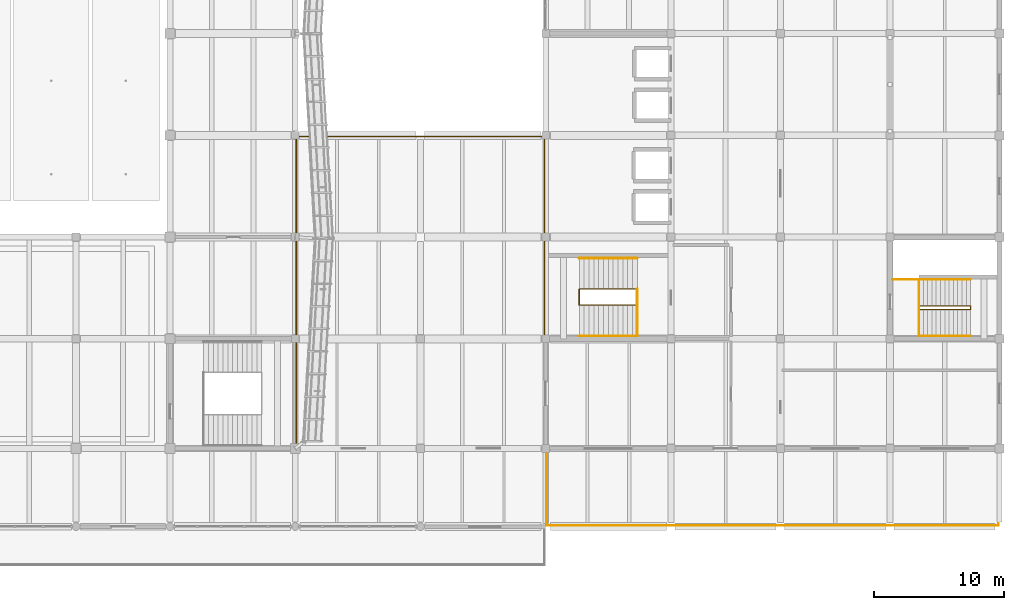
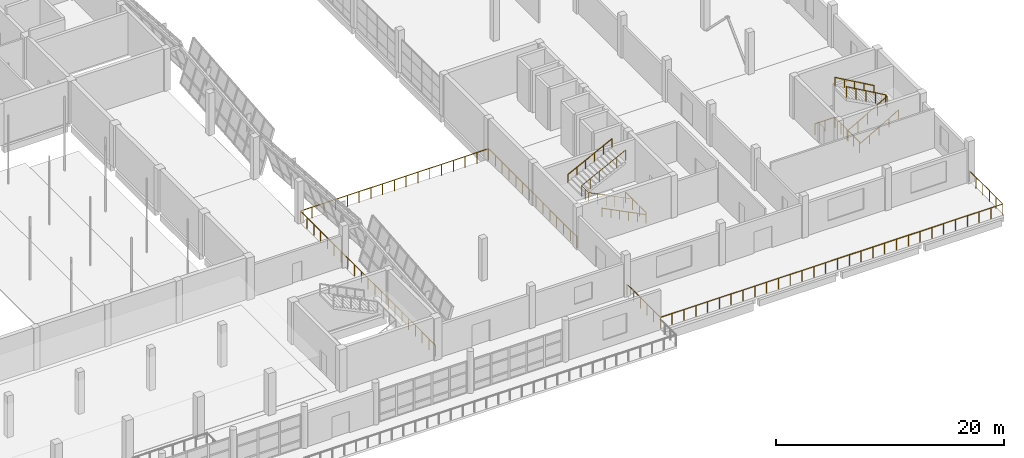
# One storey, part 67 of 71: 10 railings.
"""IFC4 building model written with IfcOpenShell, lengths in metres."""

from ifc_helpers import new_model, si_unit, direction, frame, origin, origin_2d, place, context, subcontext, project, spatial, circle, extrude, material, type_object, element, save


model = new_model("IFC4")

# Units and contexts
model_context = context("Model", 3, precision=1e-05, world=origin(), true_north=direction((0.0, 1.0)))
body_context = subcontext(model_context, "Body", "Model", "MODEL_VIEW")
ifc_project = project(units=[si_unit("LENGTHUNIT", "METRE"), si_unit("AREAUNIT", "SQUARE_METRE"), si_unit("VOLUMEUNIT", "CUBIC_METRE"), si_unit("PLANEANGLEUNIT", "RADIAN"), si_unit("MASSUNIT", "GRAM", prefix="KILO")], contexts=[model_context])

# Site, building, storey
site_placement = place(None, origin())
site = spatial("IfcSite", under=ifc_project, at=site_placement, CompositionType="ELEMENT")
building_placement = place(site_placement, origin())
building = spatial("IfcBuilding", under=site, at=building_placement, Name="Pellamere Symphony Hall", CompositionType="ELEMENT")
storey_placement = place(building_placement, frame((0.0, 0.0, 15.0)))
storey = spatial("IfcBuildingStorey", under=building, at=storey_placement, Name="L03", CompositionType="ELEMENT", Elevation=15.0)

# Railings
ifc_material_1 = material(Name="Painted Steel CSA G40.21 350W", Category="steel")
railing_type_1 = type_object("IfcRailingType", Name="Guardrail GR-02 H1150 Painted", PredefinedType="GUARDRAIL", material=ifc_material_1)
railing_1_placement = place(storey_placement, frame((145.02490234375, 40.989990234375, 0.0)))
element("IfcRailing", 1, at=railing_1_placement, inside=storey, type_object=railing_type_1, Name="Stair ST02-L03 Continuous Well Guardrail (L03)", PredefinedType="GUARDRAIL", context=body_context, shape_type="SweptSolid", body=[
    extrude(circle(Radius=0.02392578125, at=origin_2d()), frame((0.0, 0.0, 1.1259765625), z_axis=(-0.892410782461, 0.0, 0.451223886057), x_axis=(0.0, -1.0, 0.0)), (0.0, 0.0, 1.0), 4.986328125),
    extrude(circle(Radius=0.02392578125, at=origin_2d()), frame((-4.449951171875, 0.0, 3.3759765625), z_axis=(0.0, 1.0, 0.0), x_axis=(-1.0, 0.0, 0.0)), (0.0, 0.0, 1.0), 1.219970703125),
    extrude(circle(Radius=0.02392578125, at=origin_2d()), frame((-4.449951171875, 1.219970703125, 3.3759765625), z_axis=(0.892410782461, 0.0, 0.451223886057), x_axis=(0.0, 1.0, 0.0)), (0.0, 0.0, 1.0), 4.986328125),
    extrude(circle(Radius=0.02099609375, at=origin_2d()), origin(), (0.0, 0.0, 1.0), 1.101806640625),
    extrude(circle(Radius=0.02099609375, at=origin_2d()), frame((-0.889892578125, 0.0, 0.449951171875)), (0.0, 0.0, 1.0), 1.101806640625),
    extrude(circle(Radius=0.02099609375, at=origin_2d()), frame((-1.780029296875, 0.0, 0.89990234375)), (0.0, 0.0, 1.0), 1.101806640625),
    extrude(circle(Radius=0.02099609375, at=origin_2d()), frame((-2.669921875, 0.0, 1.35009765625)), (0.0, 0.0, 1.0), 1.101806640625),
    extrude(circle(Radius=0.02099609375, at=origin_2d()), frame((-3.56005859375, 0.0, 1.800048828125)), (0.0, 0.0, 1.0), 1.101806640625),
    extrude(circle(Radius=0.02099609375, at=origin_2d()), frame((-4.449951171875, 0.0, 2.25)), (0.0, 0.0, 1.0), 1.101806640625),
    extrude(circle(Radius=0.02099609375, at=origin_2d()), frame((-4.449951171875, 0.60986328125, 2.25)), (0.0, 0.0, 1.0), 1.101806640625),
    extrude(circle(Radius=0.02099609375, at=origin_2d()), frame((-4.449951171875, 1.219970703125, 2.25)), (0.0, 0.0, 1.0), 1.101806640625),
    extrude(circle(Radius=0.02099609375, at=origin_2d()), frame((-3.56005859375, 1.219970703125, 2.699951171875)), (0.0, 0.0, 1.0), 1.101806640625),
    extrude(circle(Radius=0.02099609375, at=origin_2d()), frame((-2.669921875, 1.219970703125, 3.14990234375)), (0.0, 0.0, 1.0), 1.101806640625),
    extrude(circle(Radius=0.02099609375, at=origin_2d()), frame((-1.780029296875, 1.219970703125, 3.60009765625)), (0.0, 0.0, 1.0), 1.101806640625),
    extrude(circle(Radius=0.02099609375, at=origin_2d()), frame((-0.889892578125, 1.219970703125, 4.050048828125)), (0.0, 0.0, 1.0), 1.101806640625),
    extrude(circle(Radius=0.02099609375, at=origin_2d()), frame((0.0, 1.219970703125, 4.5)), (0.0, 0.0, 1.0), 1.101806640625),
])
railing_2_placement = place(storey_placement, frame((145.02490234375, 38.610107421875, 0.0)))
element("IfcRailing", 2, at=railing_2_placement, inside=storey, type_object=railing_type_1, Name="Stair ST02-L03 Landing Well Slot Guard (L03)", PredefinedType="GUARDRAIL", context=body_context, shape_type="SweptSolid", body=[
    extrude(circle(Radius=0.02392578125, at=origin_2d()), frame((0.0, 0.0, 1.1259765625), z_axis=(0.0, 1.0, 0.0), x_axis=(-1.0, 0.0, 0.0)), (0.0, 0.0, 1.0), 3.599853515625),
    extrude(circle(Radius=0.02099609375, at=origin_2d()), origin(), (0.0, 0.0, 1.0), 1.101806640625),
    extrude(circle(Radius=0.02099609375, at=origin_2d()), frame((0.0, 1.199951171875, 0.0)), (0.0, 0.0, 1.0), 1.101806640625),
    extrude(circle(Radius=0.02099609375, at=origin_2d()), frame((0.0, 2.39990234375, 0.0)), (0.0, 0.0, 1.0), 1.101806640625),
    extrude(circle(Radius=0.02099609375, at=origin_2d()), frame((0.0, 3.599853515625, 0.0)), (0.0, 0.0, 1.0), 1.101806640625),
])
railing_3_placement = place(storey_placement, frame((166.625, 40.639892578125, 0.0)))
element("IfcRailing", 3, at=railing_3_placement, inside=storey, type_object=railing_type_1, Name="Stair ST06-L03 Continuous Well Guardrail (L03)", PredefinedType="GUARDRAIL", context=body_context, shape_type="SweptSolid", body=[
    extrude(circle(Radius=0.02392578125, at=origin_2d()), frame((0.0, 0.0, 1.1259765625), z_axis=(0.868916562865, 0.0, 0.494958590974), x_axis=(0.0, 1.0, 0.0)), (0.0, 0.0, 1.0), 4.5458984375),
    extrude(circle(Radius=0.02392578125, at=origin_2d()), frame((3.949951171875, 0.0, 3.3759765625), z_axis=(0.0, 1.0, 0.0), x_axis=(-1.0, 0.0, 0.0)), (0.0, 0.0, 1.0), 0.280029296875),
    extrude(circle(Radius=0.02392578125, at=origin_2d()), frame((3.949951171875, 0.280029296875, 3.3759765625), z_axis=(-0.868916562865, 0.0, 0.494958590974), x_axis=(0.0, -1.0, 0.0)), (0.0, 0.0, 1.0), 4.5458984375),
    extrude(circle(Radius=0.02099609375, at=origin_2d()), origin(), (0.0, 0.0, 1.0), 1.101806640625),
    extrude(circle(Radius=0.02099609375, at=origin_2d()), frame((0.987548828125, 0.0, 0.5625)), (0.0, 0.0, 1.0), 1.101806640625),
    extrude(circle(Radius=0.02099609375, at=origin_2d()), frame((1.97509765625, 0.0, 1.125)), (0.0, 0.0, 1.0), 1.101806640625),
    extrude(circle(Radius=0.02099609375, at=origin_2d()), frame((2.96240234375, 0.0, 1.6875)), (0.0, 0.0, 1.0), 1.101806640625),
    extrude(circle(Radius=0.02099609375, at=origin_2d()), frame((3.949951171875, 0.0, 2.25)), (0.0, 0.0, 1.0), 1.101806640625),
    extrude(circle(Radius=0.02099609375, at=origin_2d()), frame((3.949951171875, 0.280029296875, 2.25)), (0.0, 0.0, 1.0), 1.101806640625),
    extrude(circle(Radius=0.02099609375, at=origin_2d()), frame((2.96240234375, 0.280029296875, 2.8125)), (0.0, 0.0, 1.0), 1.101806640625),
    extrude(circle(Radius=0.02099609375, at=origin_2d()), frame((1.97509765625, 0.280029296875, 3.375)), (0.0, 0.0, 1.0), 1.101806640625),
    extrude(circle(Radius=0.02099609375, at=origin_2d()), frame((0.987548828125, 0.280029296875, 3.9375)), (0.0, 0.0, 1.0), 1.101806640625),
    extrude(circle(Radius=0.02099609375, at=origin_2d()), frame((0.0, 0.280029296875, 4.5)), (0.0, 0.0, 1.0), 1.101806640625),
])
railing_4_placement = place(storey_placement, frame((166.625, 38.610107421875, 0.0)))
element("IfcRailing", 4, at=railing_4_placement, inside=storey, type_object=railing_type_1, Name="Stair ST06-L03 Landing Well Slot Guard (L03)", PredefinedType="GUARDRAIL", context=body_context, shape_type="SweptSolid", body=[
    extrude(circle(Radius=0.02392578125, at=origin_2d()), frame((0.0, 0.0, 1.1259765625), z_axis=(0.0, 1.0, 0.0), x_axis=(-1.0, 0.0, 0.0)), (0.0, 0.0, 1.0), 4.33984375),
    extrude(circle(Radius=0.02392578125, at=origin_2d()), frame((0.0, 4.33984375, 1.1259765625), z_axis=(-1.0, 0.0, 0.0), x_axis=(0.0, -1.0, 0.0)), (0.0, 0.0, 1.0), 2.014892578125),
    extrude(circle(Radius=0.02099609375, at=origin_2d()), origin(), (0.0, 0.0, 1.0), 1.101806640625),
    extrude(circle(Radius=0.02099609375, at=origin_2d()), frame((0.0, 1.0849609375, 0.0)), (0.0, 0.0, 1.0), 1.101806640625),
    extrude(circle(Radius=0.02099609375, at=origin_2d()), frame((0.0, 2.169921875, 0.0)), (0.0, 0.0, 1.0), 1.101806640625),
    extrude(circle(Radius=0.02099609375, at=origin_2d()), frame((0.0, 3.2548828125, 0.0)), (0.0, 0.0, 1.0), 1.101806640625),
    extrude(circle(Radius=0.02099609375, at=origin_2d()), frame((0.0, 4.33984375, 0.0)), (0.0, 0.0, 1.0), 1.101806640625),
    extrude(circle(Radius=0.02099609375, at=origin_2d()), frame((-1.00732421875, 4.33984375, 0.0)), (0.0, 0.0, 1.0), 1.101806640625),
    extrude(circle(Radius=0.02099609375, at=origin_2d()), frame((-2.014892578125, 4.33984375, 0.0)), (0.0, 0.0, 1.0), 1.101806640625),
])
ifc_material_2 = material(Name="Laminated Safety Glass 21.5mm with Stainless Cap", Category="glass")
railing_type_2 = type_object("IfcRailingType", Name="Guardrail GR-03 H1180 Laminated", PredefinedType="GUARDRAIL", material=ifc_material_2)
railing_5_placement = place(storey_placement, frame((118.8798828125, 30.199951171875, 0.0)))
element("IfcRailing", 5, at=railing_5_placement, inside=storey, type_object=railing_type_2, Name="Safety Guardrail GR-TER-L03-ELK", PredefinedType="GUARDRAIL", context=body_context, shape_type="SweptSolid", body=[
    extrude(circle(Radius=0.02392578125, at=origin_2d()), frame((0.0, 0.0, 1.15576171875), z_axis=(0.0, 1.0, 0.0), x_axis=(-1.0, 0.0, 0.0)), (0.0, 0.0, 1.0), 23.719970703125),
    extrude(circle(Radius=0.02392578125, at=origin_2d()), frame((0.0, 23.719970703125, 1.15576171875), z_axis=(1.0, 0.0, 0.0), x_axis=(0.0, 1.0, 0.0)), (0.0, 0.0, 1.0), 19.0400390625),
    extrude(circle(Radius=0.02392578125, at=origin_2d()), frame((19.0400390625, 23.719970703125, 1.15576171875), z_axis=(0.0, -1.0, 0.0), x_axis=(1.0, 0.0, 0.0)), (0.0, 0.0, 1.0), 15.52001953125),
    extrude(circle(Radius=0.02099609375, at=origin_2d()), origin(), (0.0, 0.0, 1.0), 1.1318359375),
    extrude(circle(Radius=0.02099609375, at=origin_2d()), frame((0.0, 1.18603515625, 0.0)), (0.0, 0.0, 1.0), 1.1318359375),
    extrude(circle(Radius=0.02099609375, at=origin_2d()), frame((0.0, 2.3720703125, 0.0)), (0.0, 0.0, 1.0), 1.1318359375),
    extrude(circle(Radius=0.02099609375, at=origin_2d()), frame((0.0, 3.55810546875, 0.0)), (0.0, 0.0, 1.0), 1.1318359375),
    extrude(circle(Radius=0.02099609375, at=origin_2d()), frame((0.0, 4.743896484375, 0.0)), (0.0, 0.0, 1.0), 1.1318359375),
    extrude(circle(Radius=0.02099609375, at=origin_2d()), frame((0.0, 5.929931640625, 0.0)), (0.0, 0.0, 1.0), 1.1318359375),
    extrude(circle(Radius=0.02099609375, at=origin_2d()), frame((0.0, 7.115966796875, 0.0)), (0.0, 0.0, 1.0), 1.1318359375),
    extrude(circle(Radius=0.02099609375, at=origin_2d()), frame((0.0, 8.302001953125, 0.0)), (0.0, 0.0, 1.0), 1.1318359375),
    extrude(circle(Radius=0.02099609375, at=origin_2d()), frame((0.0, 9.488037109375, 0.0)), (0.0, 0.0, 1.0), 1.1318359375),
    extrude(circle(Radius=0.02099609375, at=origin_2d()), frame((0.0, 10.674072265625, 0.0)), (0.0, 0.0, 1.0), 1.1318359375),
    extrude(circle(Radius=0.02099609375, at=origin_2d()), frame((0.0, 11.85986328125, 0.0)), (0.0, 0.0, 1.0), 1.1318359375),
    extrude(circle(Radius=0.02099609375, at=origin_2d()), frame((0.0, 13.0458984375, 0.0)), (0.0, 0.0, 1.0), 1.1318359375),
    extrude(circle(Radius=0.02099609375, at=origin_2d()), frame((0.0, 14.23193359375, 0.0)), (0.0, 0.0, 1.0), 1.1318359375),
    extrude(circle(Radius=0.02099609375, at=origin_2d()), frame((0.0, 15.41796875, 0.0)), (0.0, 0.0, 1.0), 1.1318359375),
    extrude(circle(Radius=0.02099609375, at=origin_2d()), frame((0.0, 16.60400390625, 0.0)), (0.0, 0.0, 1.0), 1.1318359375),
    extrude(circle(Radius=0.02099609375, at=origin_2d()), frame((0.0, 17.7900390625, 0.0)), (0.0, 0.0, 1.0), 1.1318359375),
    extrude(circle(Radius=0.02099609375, at=origin_2d()), frame((0.0, 18.97607421875, 0.0)), (0.0, 0.0, 1.0), 1.1318359375),
    extrude(circle(Radius=0.02099609375, at=origin_2d()), frame((0.0, 20.161865234375, 0.0)), (0.0, 0.0, 1.0), 1.1318359375),
    extrude(circle(Radius=0.02099609375, at=origin_2d()), frame((0.0, 21.347900390625, 0.0)), (0.0, 0.0, 1.0), 1.1318359375),
    extrude(circle(Radius=0.02099609375, at=origin_2d()), frame((0.0, 22.533935546875, 0.0)), (0.0, 0.0, 1.0), 1.1318359375),
    extrude(circle(Radius=0.02099609375, at=origin_2d()), frame((0.0, 23.719970703125, 0.0)), (0.0, 0.0, 1.0), 1.1318359375),
    extrude(circle(Radius=0.02099609375, at=origin_2d()), frame((1.18994140625, 23.719970703125, 0.0)), (0.0, 0.0, 1.0), 1.1318359375),
    extrude(circle(Radius=0.02099609375, at=origin_2d()), frame((2.3798828125, 23.719970703125, 0.0)), (0.0, 0.0, 1.0), 1.1318359375),
    extrude(circle(Radius=0.02099609375, at=origin_2d()), frame((3.570068359375, 23.719970703125, 0.0)), (0.0, 0.0, 1.0), 1.1318359375),
    extrude(circle(Radius=0.02099609375, at=origin_2d()), frame((4.760009765625, 23.719970703125, 0.0)), (0.0, 0.0, 1.0), 1.1318359375),
    extrude(circle(Radius=0.02099609375, at=origin_2d()), frame((5.949951171875, 23.719970703125, 0.0)), (0.0, 0.0, 1.0), 1.1318359375),
    extrude(circle(Radius=0.02099609375, at=origin_2d()), frame((7.14013671875, 23.719970703125, 0.0)), (0.0, 0.0, 1.0), 1.1318359375),
    extrude(circle(Radius=0.02099609375, at=origin_2d()), frame((8.330078125, 23.719970703125, 0.0)), (0.0, 0.0, 1.0), 1.1318359375),
    extrude(circle(Radius=0.02099609375, at=origin_2d()), frame((9.52001953125, 23.719970703125, 0.0)), (0.0, 0.0, 1.0), 1.1318359375),
    extrude(circle(Radius=0.02099609375, at=origin_2d()), frame((10.7099609375, 23.719970703125, 0.0)), (0.0, 0.0, 1.0), 1.1318359375),
    extrude(circle(Radius=0.02099609375, at=origin_2d()), frame((11.89990234375, 23.719970703125, 0.0)), (0.0, 0.0, 1.0), 1.1318359375),
    extrude(circle(Radius=0.02099609375, at=origin_2d()), frame((13.090087890625, 23.719970703125, 0.0)), (0.0, 0.0, 1.0), 1.1318359375),
    extrude(circle(Radius=0.02099609375, at=origin_2d()), frame((14.280029296875, 23.719970703125, 0.0)), (0.0, 0.0, 1.0), 1.1318359375),
    extrude(circle(Radius=0.02099609375, at=origin_2d()), frame((15.469970703125, 23.719970703125, 0.0)), (0.0, 0.0, 1.0), 1.1318359375),
    extrude(circle(Radius=0.02099609375, at=origin_2d()), frame((16.66015625, 23.719970703125, 0.0)), (0.0, 0.0, 1.0), 1.1318359375),
    extrude(circle(Radius=0.02099609375, at=origin_2d()), frame((17.85009765625, 23.719970703125, 0.0)), (0.0, 0.0, 1.0), 1.1318359375),
    extrude(circle(Radius=0.02099609375, at=origin_2d()), frame((19.0400390625, 23.719970703125, 0.0)), (0.0, 0.0, 1.0), 1.1318359375),
    extrude(circle(Radius=0.02099609375, at=origin_2d()), frame((19.0400390625, 22.526123046875, 0.0)), (0.0, 0.0, 1.0), 1.1318359375),
    extrude(circle(Radius=0.02099609375, at=origin_2d()), frame((19.0400390625, 21.332275390625, 0.0)), (0.0, 0.0, 1.0), 1.1318359375),
    extrude(circle(Radius=0.02099609375, at=origin_2d()), frame((19.0400390625, 20.138427734375, 0.0)), (0.0, 0.0, 1.0), 1.1318359375),
    extrude(circle(Radius=0.02099609375, at=origin_2d()), frame((19.0400390625, 18.944580078125, 0.0)), (0.0, 0.0, 1.0), 1.1318359375),
    extrude(circle(Radius=0.02099609375, at=origin_2d()), frame((19.0400390625, 17.750732421875, 0.0)), (0.0, 0.0, 1.0), 1.1318359375),
    extrude(circle(Radius=0.02099609375, at=origin_2d()), frame((19.0400390625, 16.556884765625, 0.0)), (0.0, 0.0, 1.0), 1.1318359375),
    extrude(circle(Radius=0.02099609375, at=origin_2d()), frame((19.0400390625, 15.363037109375, 0.0)), (0.0, 0.0, 1.0), 1.1318359375),
    extrude(circle(Radius=0.02099609375, at=origin_2d()), frame((19.0400390625, 14.169189453125, 0.0)), (0.0, 0.0, 1.0), 1.1318359375),
    extrude(circle(Radius=0.02099609375, at=origin_2d()), frame((19.0400390625, 12.975341796875, 0.0)), (0.0, 0.0, 1.0), 1.1318359375),
    extrude(circle(Radius=0.02099609375, at=origin_2d()), frame((19.0400390625, 11.781494140625, 0.0)), (0.0, 0.0, 1.0), 1.1318359375),
    extrude(circle(Radius=0.02099609375, at=origin_2d()), frame((19.0400390625, 10.587646484375, 0.0)), (0.0, 0.0, 1.0), 1.1318359375),
    extrude(circle(Radius=0.02099609375, at=origin_2d()), frame((19.0400390625, 9.393798828125, 0.0)), (0.0, 0.0, 1.0), 1.1318359375),
    extrude(circle(Radius=0.02099609375, at=origin_2d()), frame((19.0400390625, 8.199951171875, 0.0)), (0.0, 0.0, 1.0), 1.1318359375),
])
railing_6_placement = place(storey_placement, frame((138.080078125, 29.919921875, 0.0)))
element("IfcRailing", 6, at=railing_6_placement, inside=storey, type_object=railing_type_2, Name="Safety Guardrail GR-TER-L03-V5S", PredefinedType="GUARDRAIL", context=body_context, shape_type="SweptSolid", body=[
    extrude(circle(Radius=0.02392578125, at=origin_2d()), frame((0.0, 0.0, 1.15576171875), z_axis=(0.0, -1.0, 0.0), x_axis=(1.0, 0.0, 0.0)), (0.0, 0.0, 1.0), 5.83984375),
    extrude(circle(Radius=0.02392578125, at=origin_2d()), frame((0.0, -5.83984375, 1.15576171875), z_axis=(1.0, 0.0, 0.0), x_axis=(0.0, 1.0, 0.0)), (0.0, 0.0, 1.0), 34.639892578125),
    extrude(circle(Radius=0.02392578125, at=origin_2d()), frame((34.639892578125, -5.83984375, 1.15576171875), z_axis=(0.0, 1.0, 0.0), x_axis=(-1.0, 0.0, 0.0)), (0.0, 0.0, 1.0), 5.83984375),
    extrude(circle(Radius=0.02099609375, at=origin_2d()), origin(), (0.0, 0.0, 1.0), 1.1318359375),
    extrude(circle(Radius=0.02099609375, at=origin_2d()), frame((0.0, -1.16796875, 0.0)), (0.0, 0.0, 1.0), 1.1318359375),
    extrude(circle(Radius=0.02099609375, at=origin_2d()), frame((0.0, -2.3359375, 0.0)), (0.0, 0.0, 1.0), 1.1318359375),
    extrude(circle(Radius=0.02099609375, at=origin_2d()), frame((0.0, -3.50390625, 0.0)), (0.0, 0.0, 1.0), 1.1318359375),
    extrude(circle(Radius=0.02099609375, at=origin_2d()), frame((0.0, -4.671875, 0.0)), (0.0, 0.0, 1.0), 1.1318359375),
    extrude(circle(Radius=0.02099609375, at=origin_2d()), frame((0.0, -5.83984375, 0.0)), (0.0, 0.0, 1.0), 1.1318359375),
    extrude(circle(Radius=0.02099609375, at=origin_2d()), frame((1.194580078125, -5.83984375, 0.0)), (0.0, 0.0, 1.0), 1.1318359375),
    extrude(circle(Radius=0.02099609375, at=origin_2d()), frame((2.388916015625, -5.83984375, 0.0)), (0.0, 0.0, 1.0), 1.1318359375),
    extrude(circle(Radius=0.02099609375, at=origin_2d()), frame((3.58349609375, -5.83984375, 0.0)), (0.0, 0.0, 1.0), 1.1318359375),
    extrude(circle(Radius=0.02099609375, at=origin_2d()), frame((4.77783203125, -5.83984375, 0.0)), (0.0, 0.0, 1.0), 1.1318359375),
    extrude(circle(Radius=0.02099609375, at=origin_2d()), frame((5.972412109375, -5.83984375, 0.0)), (0.0, 0.0, 1.0), 1.1318359375),
    extrude(circle(Radius=0.02099609375, at=origin_2d()), frame((7.1669921875, -5.83984375, 0.0)), (0.0, 0.0, 1.0), 1.1318359375),
    extrude(circle(Radius=0.02099609375, at=origin_2d()), frame((8.361328125, -5.83984375, 0.0)), (0.0, 0.0, 1.0), 1.1318359375),
    extrude(circle(Radius=0.02099609375, at=origin_2d()), frame((9.555908203125, -5.83984375, 0.0)), (0.0, 0.0, 1.0), 1.1318359375),
    extrude(circle(Radius=0.02099609375, at=origin_2d()), frame((10.750244140625, -5.83984375, 0.0)), (0.0, 0.0, 1.0), 1.1318359375),
    extrude(circle(Radius=0.02099609375, at=origin_2d()), frame((11.94482421875, -5.83984375, 0.0)), (0.0, 0.0, 1.0), 1.1318359375),
    extrude(circle(Radius=0.02099609375, at=origin_2d()), frame((13.13916015625, -5.83984375, 0.0)), (0.0, 0.0, 1.0), 1.1318359375),
    extrude(circle(Radius=0.02099609375, at=origin_2d()), frame((14.333740234375, -5.83984375, 0.0)), (0.0, 0.0, 1.0), 1.1318359375),
    extrude(circle(Radius=0.02099609375, at=origin_2d()), frame((15.5283203125, -5.83984375, 0.0)), (0.0, 0.0, 1.0), 1.1318359375),
    extrude(circle(Radius=0.02099609375, at=origin_2d()), frame((16.72265625, -5.83984375, 0.0)), (0.0, 0.0, 1.0), 1.1318359375),
    extrude(circle(Radius=0.02099609375, at=origin_2d()), frame((17.917236328125, -5.83984375, 0.0)), (0.0, 0.0, 1.0), 1.1318359375),
    extrude(circle(Radius=0.02099609375, at=origin_2d()), frame((19.111572265625, -5.83984375, 0.0)), (0.0, 0.0, 1.0), 1.1318359375),
    extrude(circle(Radius=0.02099609375, at=origin_2d()), frame((20.30615234375, -5.83984375, 0.0)), (0.0, 0.0, 1.0), 1.1318359375),
    extrude(circle(Radius=0.02099609375, at=origin_2d()), frame((21.500732421875, -5.83984375, 0.0)), (0.0, 0.0, 1.0), 1.1318359375),
    extrude(circle(Radius=0.02099609375, at=origin_2d()), frame((22.695068359375, -5.83984375, 0.0)), (0.0, 0.0, 1.0), 1.1318359375),
    extrude(circle(Radius=0.02099609375, at=origin_2d()), frame((23.8896484375, -5.83984375, 0.0)), (0.0, 0.0, 1.0), 1.1318359375),
    extrude(circle(Radius=0.02099609375, at=origin_2d()), frame((25.083984375, -5.83984375, 0.0)), (0.0, 0.0, 1.0), 1.1318359375),
    extrude(circle(Radius=0.02099609375, at=origin_2d()), frame((26.278564453125, -5.83984375, 0.0)), (0.0, 0.0, 1.0), 1.1318359375),
    extrude(circle(Radius=0.02099609375, at=origin_2d()), frame((27.472900390625, -5.83984375, 0.0)), (0.0, 0.0, 1.0), 1.1318359375),
    extrude(circle(Radius=0.02099609375, at=origin_2d()), frame((28.66748046875, -5.83984375, 0.0)), (0.0, 0.0, 1.0), 1.1318359375),
    extrude(circle(Radius=0.02099609375, at=origin_2d()), frame((29.862060546875, -5.83984375, 0.0)), (0.0, 0.0, 1.0), 1.1318359375),
    extrude(circle(Radius=0.02099609375, at=origin_2d()), frame((31.056396484375, -5.83984375, 0.0)), (0.0, 0.0, 1.0), 1.1318359375),
    extrude(circle(Radius=0.02099609375, at=origin_2d()), frame((32.2509765625, -5.83984375, 0.0)), (0.0, 0.0, 1.0), 1.1318359375),
    extrude(circle(Radius=0.02099609375, at=origin_2d()), frame((33.4453125, -5.83984375, 0.0)), (0.0, 0.0, 1.0), 1.1318359375),
    extrude(circle(Radius=0.02099609375, at=origin_2d()), frame((34.639892578125, -5.83984375, 0.0)), (0.0, 0.0, 1.0), 1.1318359375),
    extrude(circle(Radius=0.02099609375, at=origin_2d()), frame((34.639892578125, -4.671875, 0.0)), (0.0, 0.0, 1.0), 1.1318359375),
    extrude(circle(Radius=0.02099609375, at=origin_2d()), frame((34.639892578125, -3.50390625, 0.0)), (0.0, 0.0, 1.0), 1.1318359375),
    extrude(circle(Radius=0.02099609375, at=origin_2d()), frame((34.639892578125, -2.3359375, 0.0)), (0.0, 0.0, 1.0), 1.1318359375),
    extrude(circle(Radius=0.02099609375, at=origin_2d()), frame((34.639892578125, -1.16796875, 0.0)), (0.0, 0.0, 1.0), 1.1318359375),
    extrude(circle(Radius=0.02099609375, at=origin_2d()), frame((34.639892578125, 0.0, 0.0)), (0.0, 0.0, 1.0), 1.1318359375),
])
ifc_material_3 = material(Name="Stainless Steel AISI 316", Category="steel")
railing_type_3 = type_object("IfcRailingType", Name="Handrail HR-01 H920 Stainless", PredefinedType="HANDRAIL", material=ifc_material_3)
railing_7_placement = place(storey_placement, frame((145.02490234375, 38.6201171875, 0.0)))
element("IfcRailing", 7, at=railing_7_placement, inside=storey, type_object=railing_type_3, Name="Stair ST02-L03 Lower Wall Handrail (L03)", PredefinedType="HANDRAIL", context=body_context, shape_type="SweptSolid", body=[
    extrude(circle(Radius=0.02392578125, at=origin_2d()), frame((0.0, 0.0, 0.89599609375), z_axis=(-0.892410782461, 0.0, 0.451223886057), x_axis=(0.0, -1.0, 0.0)), (0.0, 0.0, 1.0), 4.986328125),
    extrude(circle(Radius=0.02099609375, at=origin_2d()), origin(), (0.0, 0.0, 1.0), 0.871826171875),
    extrude(circle(Radius=0.02099609375, at=origin_2d()), frame((-0.889892578125, 0.0, 0.449951171875)), (0.0, 0.0, 1.0), 0.871826171875),
    extrude(circle(Radius=0.02099609375, at=origin_2d()), frame((-1.780029296875, 0.0, 0.89990234375)), (0.0, 0.0, 1.0), 0.871826171875),
    extrude(circle(Radius=0.02099609375, at=origin_2d()), frame((-2.669921875, 0.0, 1.35009765625)), (0.0, 0.0, 1.0), 0.871826171875),
    extrude(circle(Radius=0.02099609375, at=origin_2d()), frame((-3.56005859375, 0.0, 1.800048828125)), (0.0, 0.0, 1.0), 0.871826171875),
    extrude(circle(Radius=0.02099609375, at=origin_2d()), frame((-4.449951171875, 0.0, 2.25)), (0.0, 0.0, 1.0), 0.871826171875),
])
railing_8_placement = place(storey_placement, frame((140.574951171875, 44.580078125, 2.25)))
element("IfcRailing", 8, at=railing_8_placement, inside=storey, type_object=railing_type_3, Name="Stair ST02-L03 Upper Wall Handrail (L03)", PredefinedType="HANDRAIL", context=body_context, shape_type="SweptSolid", body=[
    extrude(circle(Radius=0.02392578125, at=origin_2d()), frame((0.0, 0.0, 0.89599609375), z_axis=(0.892410782461, 0.0, 0.451223886057), x_axis=(0.0, 1.0, 0.0)), (0.0, 0.0, 1.0), 4.986328125),
    extrude(circle(Radius=0.02099609375, at=origin_2d()), origin(), (0.0, 0.0, 1.0), 0.871826171875),
    extrude(circle(Radius=0.02099609375, at=origin_2d()), frame((0.889892578125, 0.0, 0.449951171875)), (0.0, 0.0, 1.0), 0.871826171875),
    extrude(circle(Radius=0.02099609375, at=origin_2d()), frame((1.780029296875, 0.0, 0.89990234375)), (0.0, 0.0, 1.0), 0.871826171875),
    extrude(circle(Radius=0.02099609375, at=origin_2d()), frame((2.669921875, 0.0, 1.35009765625)), (0.0, 0.0, 1.0), 0.871826171875),
    extrude(circle(Radius=0.02099609375, at=origin_2d()), frame((3.56005859375, 0.0, 1.800048828125)), (0.0, 0.0, 1.0), 0.871826171875),
    extrude(circle(Radius=0.02099609375, at=origin_2d()), frame((4.449951171875, 0.0, 2.25)), (0.0, 0.0, 1.0), 0.871826171875),
])
railing_9_placement = place(storey_placement, frame((166.625, 38.6201171875, 0.0)))
element("IfcRailing", 9, at=railing_9_placement, inside=storey, type_object=railing_type_3, Name="Stair ST06-L03 Lower Wall Handrail (L03)", PredefinedType="HANDRAIL", context=body_context, shape_type="SweptSolid", body=[
    extrude(circle(Radius=0.02392578125, at=origin_2d()), frame((0.0, 0.0, 0.89599609375), z_axis=(0.868916562865, 0.0, 0.494958590974), x_axis=(0.0, 1.0, 0.0)), (0.0, 0.0, 1.0), 4.5458984375),
    extrude(circle(Radius=0.02099609375, at=origin_2d()), origin(), (0.0, 0.0, 1.0), 0.871826171875),
    extrude(circle(Radius=0.02099609375, at=origin_2d()), frame((0.987548828125, 0.0, 0.5625)), (0.0, 0.0, 1.0), 0.871826171875),
    extrude(circle(Radius=0.02099609375, at=origin_2d()), frame((1.97509765625, 0.0, 1.125)), (0.0, 0.0, 1.0), 0.871826171875),
    extrude(circle(Radius=0.02099609375, at=origin_2d()), frame((2.96240234375, 0.0, 1.6875)), (0.0, 0.0, 1.0), 0.871826171875),
    extrude(circle(Radius=0.02099609375, at=origin_2d()), frame((3.949951171875, 0.0, 2.25)), (0.0, 0.0, 1.0), 0.871826171875),
])
railing_10_placement = place(storey_placement, frame((170.574951171875, 42.93994140625, 2.25)))
element("IfcRailing", 10, at=railing_10_placement, inside=storey, type_object=railing_type_3, Name="Stair ST06-L03 Upper Wall Handrail (L03)", PredefinedType="HANDRAIL", context=body_context, shape_type="SweptSolid", body=[
    extrude(circle(Radius=0.02392578125, at=origin_2d()), frame((0.0, 0.0, 0.89599609375), z_axis=(-0.868916562865, 0.0, 0.494958590974), x_axis=(0.0, -1.0, 0.0)), (0.0, 0.0, 1.0), 4.5458984375),
    extrude(circle(Radius=0.02099609375, at=origin_2d()), origin(), (0.0, 0.0, 1.0), 0.871826171875),
    extrude(circle(Radius=0.02099609375, at=origin_2d()), frame((-0.987548828125, 0.0, 0.5625)), (0.0, 0.0, 1.0), 0.871826171875),
    extrude(circle(Radius=0.02099609375, at=origin_2d()), frame((-1.97509765625, 0.0, 1.125)), (0.0, 0.0, 1.0), 0.871826171875),
    extrude(circle(Radius=0.02099609375, at=origin_2d()), frame((-2.96240234375, 0.0, 1.6875)), (0.0, 0.0, 1.0), 0.871826171875),
    extrude(circle(Radius=0.02099609375, at=origin_2d()), frame((-3.949951171875, 0.0, 2.25)), (0.0, 0.0, 1.0), 0.871826171875),
])

save(model, "model.ifc")
